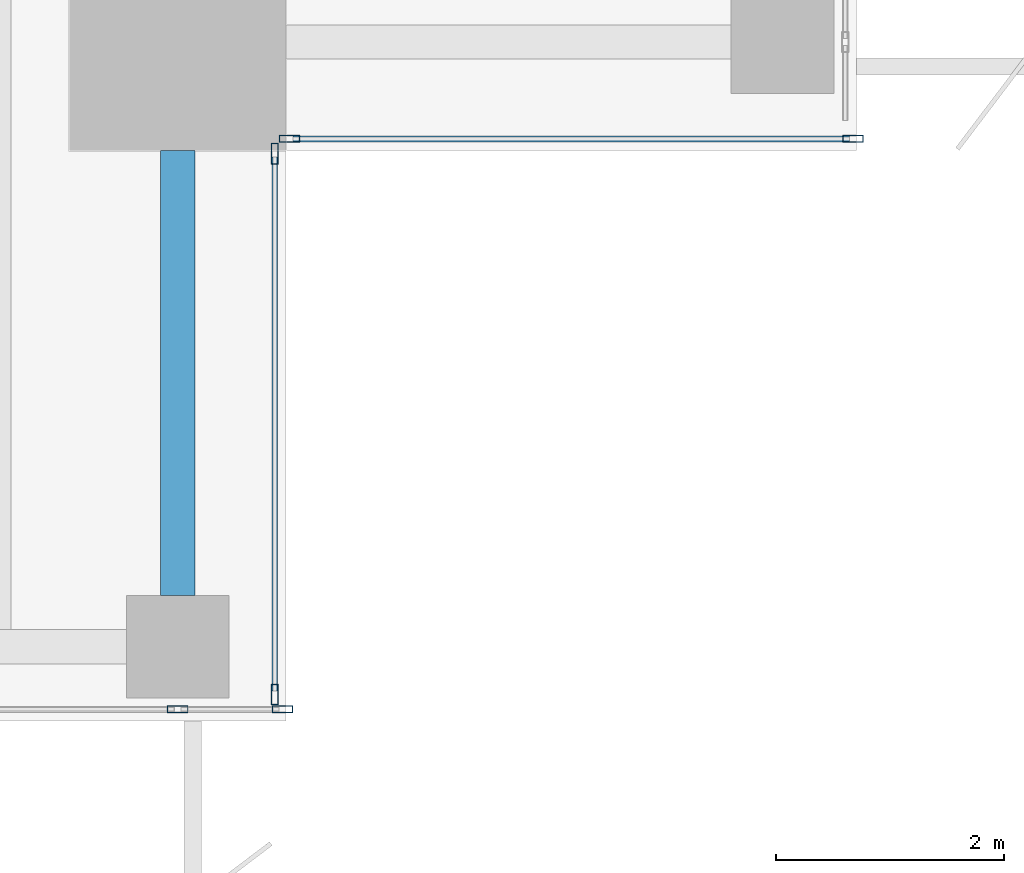
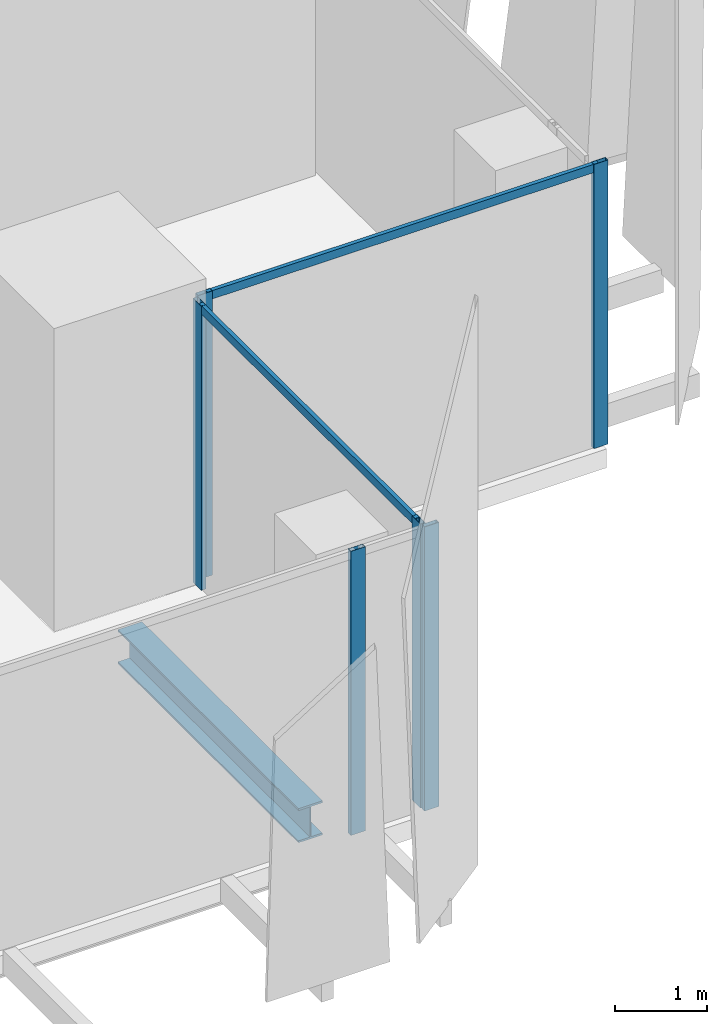
# One storey, part 8 of 35: 8 members, 1 beam, 3 elements without a shape of their own.
"""IFC4 building model written with IfcOpenShell, lengths in metres."""

from ifc_helpers import new_model, si_unit, direction, frame, origin, origin_2d, place, context, subcontext, project, spatial, hollow_rectangle, i_section, extrude, source, transform, mapped, material, material_profile, profile_set, type_object, element, aggregate, save


model = new_model("IFC4")

# Units and contexts
model_context = context("Model", 3, precision=1e-05, world=origin(), true_north=direction((0.0, 1.0)))
body_context = subcontext(model_context, "Body", "Model", "MODEL_VIEW")
ifc_project = project(units=[si_unit("LENGTHUNIT", "METRE"), si_unit("AREAUNIT", "SQUARE_METRE"), si_unit("VOLUMEUNIT", "CUBIC_METRE"), si_unit("PLANEANGLEUNIT", "RADIAN"), si_unit("MASSUNIT", "GRAM", prefix="KILO")], contexts=[model_context])

# Site, building, storey
site_placement = place(None, origin())
site = spatial("IfcSite", under=ifc_project, at=site_placement, CompositionType="ELEMENT")
building_placement = place(site_placement, origin())
building = spatial("IfcBuilding", under=site, at=building_placement, Name="Khomas Fold Tower", CompositionType="ELEMENT")
storey_placement = place(building_placement, frame((0.0, 0.0, 246.199951171875)))
storey = spatial("IfcBuildingStorey", under=building, at=storey_placement, Name="L55", CompositionType="ELEMENT", Elevation=246.199951171875)

# Beam
ifc_material_1 = material(Name="Steel S355", Category="steel")
ifc_material_profile_1 = material_profile(ifc_material_1, i_section(OverallWidth=0.300048828125, OverallDepth=0.449951171875, WebThickness=0.013916015625, FlangeThickness=0.02587890625, at=origin_2d()), Name="HE 450 B")
ifc_profile_set_1 = profile_set([ifc_material_profile_1], Name="Steel S355")
beam_type = type_object("IfcBeamType", Name="HE 450 B spandrel SB4", PredefinedType="SPANDREL", material=ifc_profile_set_1)
shared_shape_1 = source(origin(), body_context, "Body", "SweptSolid", [
    extrude(i_section(OverallWidth=0.300048828125, OverallDepth=0.449951171875, WebThickness=0.013916015625, FlangeThickness=0.02587890625, at=origin_2d()), origin(), (0.0, 0.0, 1.0), 3.89990234375),
])
beam_placement = place(storey_placement, frame((43.550048828125, 5.60009765625, -0.474853515625), z_axis=(0.0, 1.0, 0.0), x_axis=(-1.0, 0.0, 0.0)))
element("IfcBeam", 1, at=beam_placement, inside=storey, type_object=beam_type, Name="SB4", PredefinedType="SPANDREL", context=body_context, shape_type="MappedRepresentation", body=[
    mapped(shared_shape_1, transform((0.0, 0.0, 0.0))),
])

# Curtain wall, members
ifc_material_2 = material(Name="Aluminium framed double glazing", Category="aluminium")
curtain_wall_type = type_object("IfcCurtainWallType", Name="SK-Unitised clear-glass wall, office floors CW2", PredefinedType="NOTDEFINED", material=ifc_material_2)
curtain_wall_1_placement = place(storey_placement, origin())
curtain_wall_1 = element("IfcCurtainWall", 2, at=curtain_wall_1_placement, inside=storey, type_object=curtain_wall_type, Name="CW2 run L55 00-0", PredefinedType="NOTDEFINED")
ifc_material_3 = material(Name="Aluminium", Category="aluminium")
ifc_material_profile_2 = material_profile(ifc_material_3, hollow_rectangle(XDim=0.06005859375, YDim=0.179931640625, WallThickness=0.00390625, at=origin_2d()), Name="SK-Unitised clear-glass wall, office floors mullion CW2-M")
ifc_profile_set_2 = profile_set([ifc_material_profile_2], Name="Aluminium")
member_type_1 = type_object("IfcMemberType", Name="SK-Unitised clear-glass wall, office floors mullion CW2-M", PredefinedType="MULLION", material=ifc_profile_set_2)
shared_shape_2 = source(origin(), body_context, "Body", "SweptSolid", [
    extrude(hollow_rectangle(XDim=0.06005859375, YDim=0.179931640625, WallThickness=0.00390625, at=origin_2d()), origin(), (0.0, 0.0, 1.0), 3.75),
])
member_1_placement = place(storey_placement, frame((43.550048828125, 4.60009765625, 0.0), z_axis=(0.0, 0.0, 1.0), x_axis=(0.0, 1.0, 0.0)))
member_1 = element("IfcMember", 3, at=member_1_placement, type_object=member_type_1, Name="CW2 mullion 6", PredefinedType="MULLION", context=body_context, shape_type="MappedRepresentation", body=[
    mapped(shared_shape_2, transform((0.0, 0.0, 0.0))),
])
member_2_placement = place(storey_placement, frame((44.469970703125, 4.60009765625, 0.0), z_axis=(0.0, 0.0, 1.0), x_axis=(0.0, 1.0, 0.0)))
member_2 = element("IfcMember", 4, at=member_2_placement, type_object=member_type_1, Name="CW2 mullion 7", PredefinedType="MULLION", context=body_context, shape_type="MappedRepresentation", body=[
    mapped(shared_shape_2, transform((0.0, 0.0, 0.0))),
])
aggregate(curtain_wall_1, [member_1, member_2])

curtain_wall_2_placement = place(storey_placement, origin())
curtain_wall_2 = element("IfcCurtainWall", 5, at=curtain_wall_2_placement, inside=storey, type_object=curtain_wall_type, Name="CW2 corner return L55 01", PredefinedType="NOTDEFINED")
member_3_placement = place(storey_placement, frame((44.39990234375, 4.72998046875, 0.0), z_axis=(0.0, 0.0, 1.0), x_axis=(-1.0, 0.0, 0.0)))
member_3 = element("IfcMember", 6, at=member_3_placement, type_object=member_type_1, Name="CW2 mullion 1", PredefinedType="MULLION", context=body_context, shape_type="MappedRepresentation", body=[
    mapped(shared_shape_2, transform((0.0, 0.0, 0.0))),
])
member_4_placement = place(storey_placement, frame((44.39990234375, 9.469970703125, 0.0), z_axis=(0.0, 0.0, 1.0), x_axis=(-1.0, 0.0, 0.0)))
member_4 = element("IfcMember", 7, at=member_4_placement, type_object=member_type_1, Name="CW2 mullion 2", PredefinedType="MULLION", context=body_context, shape_type="MappedRepresentation", body=[
    mapped(shared_shape_2, transform((0.0, 0.0, 0.0))),
])

curtain_wall_3_placement = place(storey_placement, origin())
curtain_wall_3 = element("IfcCurtainWall", 8, at=curtain_wall_3_placement, inside=storey, type_object=curtain_wall_type, Name="CW2 corner return L55 02", PredefinedType="NOTDEFINED")
member_5_placement = place(storey_placement, frame((44.530029296875, 9.60009765625, 0.0), z_axis=(0.0, 0.0, 1.0), x_axis=(0.0, 1.0, 0.0)))
member_5 = element("IfcMember", 9, at=member_5_placement, type_object=member_type_1, Name="CW2 mullion 1", PredefinedType="MULLION", context=body_context, shape_type="MappedRepresentation", body=[
    mapped(shared_shape_2, transform((0.0, 0.0, 0.0))),
])
member_6_placement = place(storey_placement, frame((49.469970703125, 9.60009765625, 0.0), z_axis=(0.0, 0.0, 1.0), x_axis=(0.0, 1.0, 0.0)))
member_6 = element("IfcMember", 10, at=member_6_placement, type_object=member_type_1, Name="CW2 mullion 2", PredefinedType="MULLION", context=body_context, shape_type="MappedRepresentation", body=[
    mapped(shared_shape_2, transform((0.0, 0.0, 0.0))),
])

# Member
ifc_material_4 = material(Name="Aluminium", Category="aluminium")
ifc_material_profile_3 = material_profile(ifc_material_4, hollow_rectangle(XDim=0.050048828125, YDim=0.110107421875, WallThickness=0.00390625, at=origin_2d()), Name="SK-Unitised clear-glass wall, office floors transom CW2-T")
ifc_profile_set_3 = profile_set([ifc_material_profile_3], Name="Aluminium")
member_type_2 = type_object("IfcMemberType", Name="SK-Unitised clear-glass wall, office floors transom CW2-T", PredefinedType="USERDEFINED", material=ifc_profile_set_3)
shared_shape_3 = source(origin(), body_context, "Body", "SweptSolid", [
    extrude(hollow_rectangle(XDim=0.050048828125, YDim=0.110107421875, WallThickness=0.00390625, at=origin_2d()), origin(), (0.0, 0.0, 1.0), 4.679931640625),
])
member_7_placement = place(storey_placement, frame((44.39990234375, 4.760009765625, 3.695068359375), z_axis=(0.0, 1.0, 0.0), x_axis=(-1.0, 0.0, 0.0)))
member_7 = element("IfcMember", 11, at=member_7_placement, type_object=member_type_2, Name="CW2 transom 1", ObjectType="TRANSOM", PredefinedType="USERDEFINED", context=body_context, shape_type="MappedRepresentation", body=[
    mapped(shared_shape_3, transform((0.0, 0.0, 0.0))),
])

aggregate(curtain_wall_2, [member_3, member_4, member_7])

shared_shape_4 = source(origin(), body_context, "Body", "SweptSolid", [
    extrude(hollow_rectangle(XDim=0.050048828125, YDim=0.110107421875, WallThickness=0.00390625, at=origin_2d()), origin(), (0.0, 0.0, 1.0), 4.8798828125),
])
member_8_placement = place(storey_placement, frame((44.56005859375, 9.60009765625, 3.695068359375), z_axis=(1.0, 0.0, 0.0), x_axis=(0.0, 1.0, 0.0)))
member_8 = element("IfcMember", 12, at=member_8_placement, type_object=member_type_2, Name="CW2 transom 1", ObjectType="TRANSOM", PredefinedType="USERDEFINED", context=body_context, shape_type="MappedRepresentation", body=[
    mapped(shared_shape_4, transform((0.0, 0.0, 0.0))),
])

aggregate(curtain_wall_3, [member_5, member_6, member_8])

save(model, "model.ifc")
